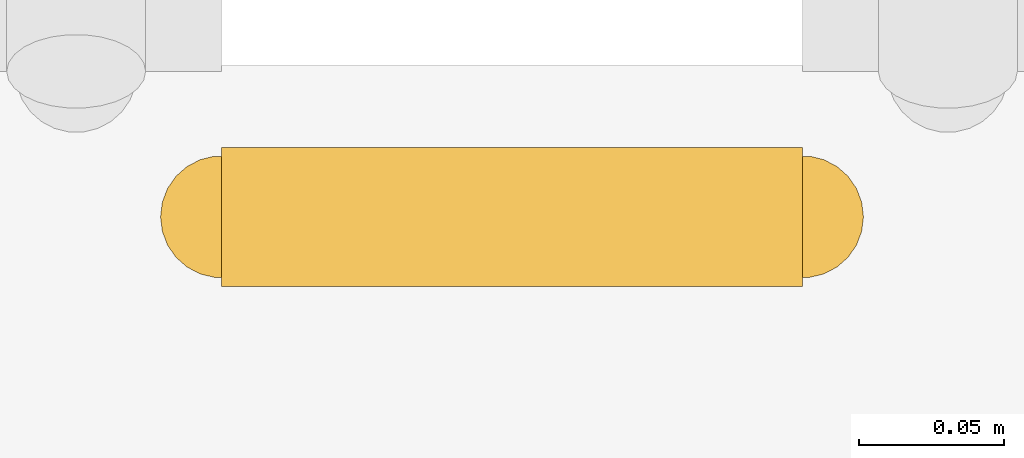
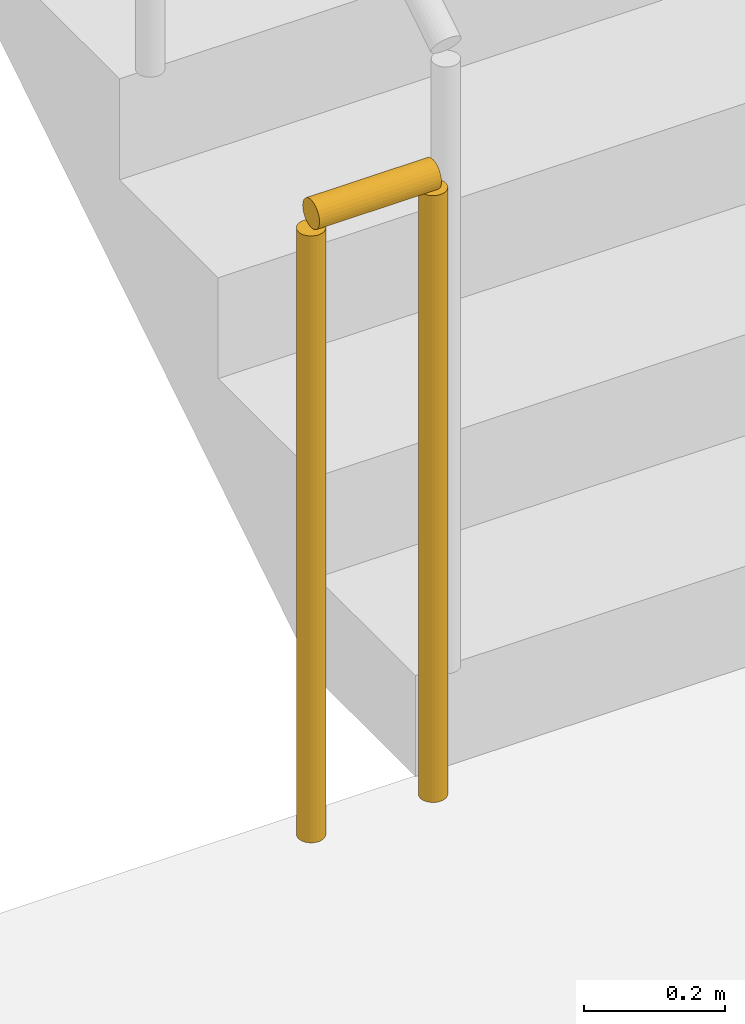
# One storey, part 10 of 20: 1 railing.
"""IFC4 building model written with IfcOpenShell, lengths in metres."""

import ifcopenshell
import ifcopenshell.guid

model = None  # the IFC model being written
_history = None  # IfcOwnerHistory: only IFC2X3 demands one
_inside = {}  # id of a spatial element -> (the spatial element, [elements in it])
_under = {}  # id of a project, library or spatial element -> (it, [spatial elements below it])
_declared = {}  # id of a project -> (the project, [libraries it declares])
_typed = {}  # id of a type object -> (the type object, [elements of that type])
_made_of = {}  # id of a material, layer set ... -> (it, [elements and type objects made of it])


def new_model(schema):
    """Start an empty IFC model of exactly this schema.

    Asked for "IFC4X3", IfcOpenShell would pick the latest addendum, in which some entities
    have other attributes; the version numbers below select the first issue.
    IFC2X3 requires an IfcOwnerHistory on every rooted entity: one is made here for all.
    """
    global model, _history
    if schema == "IFC4X3":
        model = ifcopenshell.file(schema_version=(4, 3, 0, 0))
    else:
        model = ifcopenshell.file(schema=schema)
    _inside.clear()
    _under.clear()
    _declared.clear()
    _typed.clear()
    _made_of.clear()
    _history = None
    if model.schema == "IFC2X3":
        org = make("IfcOrganization", Name="unknown")
        user = make(
            "IfcPersonAndOrganization",
            ThePerson=make("IfcPerson", FamilyName="unknown"),
            TheOrganization=org,
        )
        app = make(
            "IfcApplication",
            ApplicationDeveloper=org,
            Version="unknown",
            ApplicationFullName="unknown",
            ApplicationIdentifier="unknown",
        )
        _history = make(
            "IfcOwnerHistory",
            OwningUser=user,
            OwningApplication=app,
            ChangeAction="ADDED",
            CreationDate=0,
        )
    return model


def make(cls, **values):
    """One entity of the class cls with the attributes given. An attribute that is None is left unset."""
    return model.create_entity(
        cls, **{name: value for name, value in values.items() if value is not None}
    )


def rooted(cls, **values):
    """An entity with a GlobalId (a new one), such as an element, a storey or a relation."""
    return make(cls, GlobalId=ifcopenshell.guid.new(), OwnerHistory=_history, **values)


def si_unit(unit_type, name, prefix=None):
    """IfcSIUnit, for example si_unit("LENGTHUNIT", "METRE", prefix="MILLI")."""
    return make("IfcSIUnit", UnitType=unit_type, Prefix=prefix, Name=name)


def assignment(units):
    """IfcUnitAssignment: the units of a project."""
    return None if units is None else make("IfcUnitAssignment", Units=units)


def point(xyz):
    """IfcCartesianPoint."""
    return None if xyz is None else make("IfcCartesianPoint", Coordinates=xyz)


def direction(xyz):
    """IfcDirection."""
    return None if xyz is None else make("IfcDirection", DirectionRatios=xyz)


def frame(location, z_axis=None, x_axis=None):
    """IfcAxis2Placement3D, a coordinate frame: its origin and axes. An axis left out is left unset."""
    return make(
        "IfcAxis2Placement3D",
        Location=point(location),
        Axis=direction(z_axis),
        RefDirection=direction(x_axis),
    )


def frame_2d(location, x_axis=None):
    """IfcAxis2Placement2D, a coordinate frame in the plane: its origin and x axis."""
    return make(
        "IfcAxis2Placement2D", Location=point(location), RefDirection=direction(x_axis)
    )


def origin():
    """The frame at (0, 0, 0) with its axes left unset."""
    return frame((0.0, 0.0, 0.0))


def origin_2d():
    """The frame at (0, 0) in the plane with its x axis left unset."""
    return frame_2d((0.0, 0.0))


def place(relative_to, where):
    """IfcLocalPlacement: puts the frame where relative to a parent placement (None: the world)."""
    return make(
        "IfcLocalPlacement", PlacementRelTo=relative_to, RelativePlacement=where
    )


def context(
    kind, dimensions, precision=None, world=None, true_north=None, identifier=None
):
    """IfcGeometricRepresentationContext, for example the 3D "Model" context."""
    return make(
        "IfcGeometricRepresentationContext",
        ContextIdentifier=identifier,
        ContextType=kind,
        CoordinateSpaceDimension=dimensions,
        Precision=precision,
        WorldCoordinateSystem=world,
        TrueNorth=true_north,
    )


def subcontext(parent, identifier, kind, view, scale=None):
    """IfcGeometricRepresentationSubContext, for example "Body" below "Model"."""
    return make(
        "IfcGeometricRepresentationSubContext",
        ContextIdentifier=identifier,
        ContextType=kind,
        ParentContext=parent,
        TargetScale=scale,
        TargetView=view,
    )


def project(units=None, contexts=None):
    """IfcProject with its units and contexts."""
    return rooted(
        "IfcProject",
        Name="project",
        RepresentationContexts=contexts,
        UnitsInContext=assignment(units),
    )


def spatial(cls, under=None, at=None, **own):
    """A site, building, storey or space (cls), placed at a placement, below another one or the project."""
    s = rooted(cls, ObjectPlacement=at, **own)
    if under is not None:
        _under.setdefault(under.id(), (under, []))[1].append(s)
    return s


def profile(cls, at=None, kind="AREA", **sizes):
    """A parametric profile (cls). Its sizes go by their IFC names, for example OverallWidth=200.0."""
    return make(cls, ProfileType=kind, Position=at, **sizes)


def circle(**sizes):
    """IfcCircleProfileDef."""
    return profile("IfcCircleProfileDef", **sizes)


def extrude(swept, where, along, depth):
    """IfcExtrudedAreaSolid: the profile swept, set in the frame where, extruded along a direction by depth."""
    return make(
        "IfcExtrudedAreaSolid",
        SweptArea=swept,
        Position=where,
        ExtrudedDirection=direction(along),
        Depth=depth,
    )


def shape(context_of_items, identifier, shape_type, items):
    """IfcShapeRepresentation: the items that make up one representation, for example the "Body"."""
    return make(
        "IfcShapeRepresentation",
        ContextOfItems=context_of_items,
        RepresentationIdentifier=identifier,
        RepresentationType=shape_type,
        Items=items,
    )


def material(Name=None, Category=None):
    """IfcMaterial."""
    return make("IfcMaterial", Name=Name, Category=Category)


def made_of(thing, what):
    """Note that an element or type object is made of a material, layer set ...; save() writes the relation."""
    if what is not None:
        _made_of.setdefault(what.id(), (what, []))[1].append(thing)
    return thing


def type_object(cls, material=None, **own):
    """A type object (cls), such as IfcWallType, which elements share."""
    return made_of(rooted(cls, **own), material)


def element(
    cls,
    number,
    at=None,
    inside=None,
    cuts=None,
    type_object=None,
    material=None,
    context=None,
    identifier="Body",
    shape_type=None,
    held_by="IfcProductDefinitionShape",
    body=None,
    shapes=None,
    **own,
):
    """One element of the class cls, such as IfcWall. Its Tag is "e" and its number.

    at: its placement. inside: the storey or other place that contains it. cuts: it is an
    opening in that element (IfcRelVoidsElement). A single representation is given by context,
    identifier, shape_type and body (its items); several are given by shapes. held_by: the class
    of the entity that holds the representations. save() writes the other relations.
    """
    e = rooted(cls, Tag="e%d" % number, ObjectPlacement=at, **own)
    if body is not None:
        shapes = [shape(context, identifier, shape_type, body)]
    if shapes is not None:
        e.Representation = make(held_by, Representations=shapes)
    if inside is not None:
        _inside.setdefault(inside.id(), (inside, []))[1].append(e)
    if cuts is not None:
        rooted(
            "IfcRelVoidsElement", RelatingBuildingElement=cuts, RelatedOpeningElement=e
        )
    if type_object is not None:
        _typed.setdefault(type_object.id(), (type_object, []))[1].append(e)
    return made_of(e, material)


def aggregate(whole, parts):
    """IfcRelAggregates: a whole, such as a stair, and the parts it consists of."""
    return rooted("IfcRelAggregates", RelatingObject=whole, RelatedObjects=parts)


def save(model, path):
    """Write the relations noted so far, then the file.

    IfcRelAggregates (storeys below a building ...), IfcRelContainedInSpatialStructure (elements
    in a storey), IfcRelDefinesByType, IfcRelAssociatesMaterial and IfcRelDeclares: one each for
    every whole, place, type object, material and project.
    """
    for whole, parts in _under.values():
        aggregate(whole, parts)
    for where, things in _inside.values():
        rooted(
            "IfcRelContainedInSpatialStructure",
            RelatedElements=things,
            RelatingStructure=where,
        )
    for kind, things in _typed.values():
        rooted("IfcRelDefinesByType", RelatedObjects=things, RelatingType=kind)
    for what, things in _made_of.values():
        rooted("IfcRelAssociatesMaterial", RelatedObjects=things, RelatingMaterial=what)
    for by, libraries in _declared.values():
        rooted("IfcRelDeclares", RelatingContext=by, RelatedDefinitions=libraries)
    model.write(path)


model = new_model("IFC4")

# Units and contexts
model_context = context("Model", 3, precision=1e-05, world=origin(), true_north=direction((0.0, 1.0)))
body_context = subcontext(model_context, "Body", "Model", "MODEL_VIEW")
ifc_project = project(units=[si_unit("LENGTHUNIT", "METRE"), si_unit("AREAUNIT", "SQUARE_METRE"), si_unit("VOLUMEUNIT", "CUBIC_METRE"), si_unit("PLANEANGLEUNIT", "RADIAN"), si_unit("MASSUNIT", "GRAM", prefix="KILO")], contexts=[model_context])

# Site, building, storey
site_placement = place(None, origin())
site = spatial("IfcSite", under=ifc_project, at=site_placement, CompositionType="ELEMENT")
building_placement = place(site_placement, origin())
building = spatial("IfcBuilding", under=site, at=building_placement, Name="Kiln Ring Residences", CompositionType="ELEMENT")
storey_placement = place(building_placement, frame((0.0, 0.0, 37.5)))
storey = spatial("IfcBuildingStorey", under=building, at=storey_placement, Name="L08", CompositionType="ELEMENT", Elevation=37.5)

# Railing
ifc_material = material(Name="Stainless steel", Category="steel")
railing_type = type_object("IfcRailingType", Name="CORE-STAIR-GUARD", PredefinedType="GUARDRAIL", material=ifc_material)
railing_placement = place(storey_placement, frame((-22.0, -8.449951171875, 0.0)))
element("IfcRailing", 1, at=railing_placement, inside=storey, type_object=railing_type, Name="L08 W-STS stair guard 4", PredefinedType="GUARDRAIL", context=body_context, shape_type="SweptSolid", body=[
    extrude(circle(Radius=0.02392578125, at=origin_2d()), frame((0.0, 0.0, 1.076171875), z_axis=(-1.0, 0.0, 0.0), x_axis=(0.0, -1.0, 0.0)), (0.0, 0.0, 1.0), 0.199951171875),
    extrude(circle(Radius=0.02099609375, at=origin_2d()), origin(), (0.0, 0.0, 1.0), 1.052001953125),
    extrude(circle(Radius=0.02099609375, at=origin_2d()), frame((-0.199951171875, 0.0, 0.0)), (0.0, 0.0, 1.0), 1.052001953125),
])

save(model, "model.ifc")
